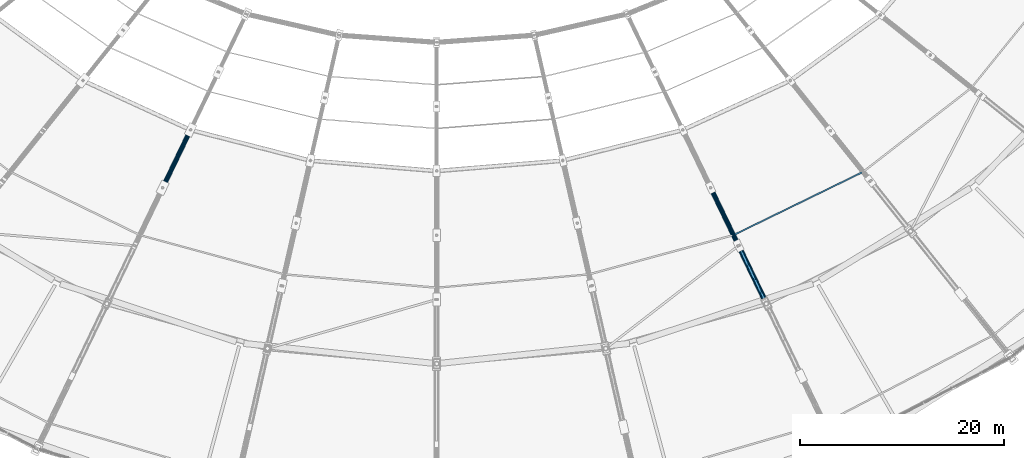
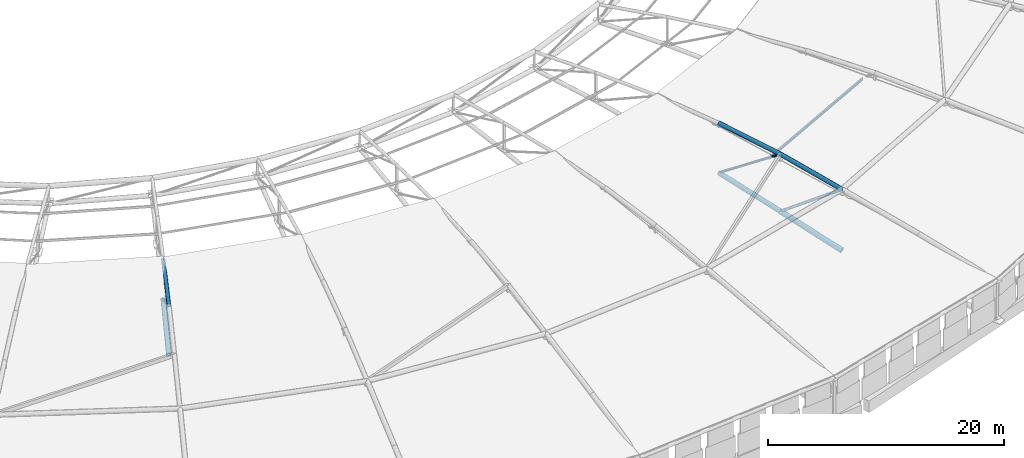
# One storey, part 19 of 108: 10 members.
"""IFC4 building model written with IfcOpenShell, lengths in metres."""

from ifc_helpers import new_model, si_unit, direction, frame, origin, origin_2d, place, context, subcontext, project, spatial, hollow_circle, i_section, extrude, material, material_profile, profile_set, type_object, element, save


model = new_model("IFC4")

# Units and contexts
model_context = context("Model", 3, precision=1e-05, world=origin(), true_north=direction((0.0, 1.0)))
body_context = subcontext(model_context, "Body", "Model", "MODEL_VIEW")
ifc_project = project(units=[si_unit("LENGTHUNIT", "METRE"), si_unit("AREAUNIT", "SQUARE_METRE"), si_unit("VOLUMEUNIT", "CUBIC_METRE"), si_unit("PLANEANGLEUNIT", "RADIAN"), si_unit("MASSUNIT", "GRAM", prefix="KILO")], contexts=[model_context])

# Site, building, storey
site_placement = place(None, origin())
site = spatial("IfcSite", under=ifc_project, at=site_placement, CompositionType="ELEMENT")
building_placement = place(site_placement, origin())
building = spatial("IfcBuilding", under=site, at=building_placement, Name="Zevraka Park Crest Stadium", CompositionType="ELEMENT")
storey_placement = place(building_placement, frame((0.0, 0.0, 29.39990234375)))
storey = spatial("IfcBuildingStorey", under=building, at=storey_placement, Name="RF", CompositionType="ELEMENT", Elevation=29.39990234375)

# Members
ifc_material_1 = material(Name="Steel S355", Category="steel")
ifc_material_profile_1 = material_profile(ifc_material_1, i_section(OverallWidth=0.135009765625, OverallDepth=0.27001953125, WebThickness=0.006591796875, FlangeThickness=0.01025390625, at=origin_2d()), Name="IPE 270")
ifc_profile_set_1 = profile_set([ifc_material_profile_1], Name="Steel S355")
member_type_1 = type_object("IfcMemberType", Name="PR04", PredefinedType="PURLIN", material=ifc_profile_set_1)
member_1_placement = place(storey_placement, frame((141.092041015625, 45.10400390625, 7.488037109375), z_axis=(0.898795149856, 0.438368884154, 0.0), x_axis=(-0.438368884154, 0.898795149856, 0.0)))
element("IfcMember", 1, at=member_1_placement, inside=storey, type_object=member_type_1, Name="Canopy Roof Purlin PR04 OUTER-24-2", PredefinedType="PURLIN", context=body_context, shape_type="SweptSolid", body=[
    extrude(i_section(OverallWidth=0.135009765625, OverallDepth=0.27001953125, WebThickness=0.006591796875, FlangeThickness=0.01025390625, at=origin_2d()), origin(), (0.0, 0.0, 1.0), 14.1455078125),
])
ifc_material_2 = material(Name="Steel S355", Category="steel")
ifc_material_profile_2 = material_profile(ifc_material_2, hollow_circle(Radius=0.25390625, WallThickness=0.030029296875, at=origin_2d()), Name="CHS 508.0x30")
ifc_profile_set_2 = profile_set([ifc_material_profile_2], Name="Steel S355")
member_type_2 = type_object("IfcMemberType", Name="TC01", PredefinedType="CHORD", material=ifc_profile_set_2)
member_2_placement = place(storey_placement, frame((144.323974609375, 38.39208984375, 0.900146484375), z_axis=(-0.42125253648, 0.874906219459, 0.238925527435), x_axis=(-0.901001108726, -0.433816783994, 0.0)))
element("IfcMember", 2, at=member_2_placement, inside=storey, type_object=member_type_2, Name="Roof Truss Bottom Chord TC01 T24-3", PredefinedType="CHORD", context=body_context, shape_type="SweptSolid", body=[
    extrude(hollow_circle(Radius=0.25390625, WallThickness=0.030029296875, at=origin_2d()), origin(), (0.0, 0.0, 1.0), 6.487548828125),
])
ifc_material_3 = material(Name="Steel S355", Category="steel")
ifc_material_profile_3 = material_profile(ifc_material_3, hollow_circle(Radius=0.228515625, WallThickness=0.02490234375, at=origin_2d()), Name="CHS 457.0x25")
ifc_profile_set_3 = profile_set([ifc_material_profile_3], Name="Steel S355")
member_type_3 = type_object("IfcMemberType", Name="TC02", PredefinedType="CHORD", material=ifc_profile_set_3)
member_3_placement = place(storey_placement, frame((85.14306640625, 49.7451171875, 3.9501953125), z_axis=(0.424202357445, 0.880994854912, 0.20952428393), x_axis=(-0.900993814881, 0.433831932372, 0.0)))
element("IfcMember", 3, at=member_3_placement, inside=storey, type_object=member_type_3, Name="Roof Truss Bottom Chord TC02 T20-5", PredefinedType="CHORD", context=body_context, shape_type="SweptSolid", body=[
    extrude(hollow_circle(Radius=0.228515625, WallThickness=0.02490234375, at=origin_2d()), origin(), (0.0, 0.0, 1.0), 6.4423828125),
])
member_4_placement = place(storey_placement, frame((141.591064453125, 44.068115234375, 2.4501953125), z_axis=(-0.422117665137, 0.876462368732, 0.231582367586), x_axis=(-0.900954548252, -0.433913472923, 0.0)))
element("IfcMember", 4, at=member_4_placement, inside=storey, type_object=member_type_3, Name="Roof Truss Bottom Chord TC02 T24-4", PredefinedType="CHORD", context=body_context, shape_type="SweptSolid", body=[
    extrude(hollow_circle(Radius=0.228515625, WallThickness=0.02490234375, at=origin_2d()), origin(), (0.0, 0.0, 1.0), 6.477294921875),
])
ifc_material_4 = material(Name="Steel S355", Category="steel")
ifc_material_profile_4 = material_profile(ifc_material_4, hollow_circle(Radius=0.203125, WallThickness=0.02001953125, at=origin_2d()), Name="CHS 406.4x20")
ifc_profile_set_4 = profile_set([ifc_material_profile_4], Name="Steel S355")
member_type_4 = type_object("IfcMemberType", Name="TC03", PredefinedType="CHORD", material=ifc_profile_set_4)
member_5_placement = place(storey_placement, frame((144.323974609375, 38.39208984375, 7.2001953125), z_axis=(-0.426765469753, 0.886356119911, 0.179566317897), x_axis=(-0.901001108726, -0.433816783994, 0.0)))
element("IfcMember", 5, at=member_5_placement, inside=storey, type_object=member_type_4, Name="Roof Truss Top Chord TC03 T24-3", PredefinedType="CHORD", context=body_context, shape_type="SweptSolid", body=[
    extrude(hollow_circle(Radius=0.203125, WallThickness=0.02001953125, at=origin_2d()), origin(), (0.0, 0.0, 1.0), 6.40380859375),
])
member_6_placement = place(storey_placement, frame((141.591064453125, 44.068115234375, 8.35009765625), z_axis=(-0.431260825212, 0.895446733517, 0.110404927751), x_axis=(-0.900954548252, -0.433913472923, 0.0)))
element("IfcMember", 6, at=member_6_placement, inside=storey, type_object=member_type_4, Name="Roof Truss Top Chord TC03 T24-4", PredefinedType="CHORD", context=body_context, shape_type="SweptSolid", body=[
    extrude(hollow_circle(Radius=0.203125, WallThickness=0.02001953125, at=origin_2d()), origin(), (0.0, 0.0, 1.0), 6.33984375),
])
ifc_material_5 = material(Name="Steel S355", Category="steel")
ifc_material_profile_5 = material_profile(ifc_material_5, hollow_circle(Radius=0.177734375, WallThickness=0.01611328125, at=origin_2d()), Name="CHS 355.6x16")
ifc_profile_set_5 = profile_set([ifc_material_profile_5], Name="Steel S355")
member_type_5 = type_object("IfcMemberType", Name="TC05", PredefinedType="CHORD", material=ifc_profile_set_5)
member_7_placement = place(storey_placement, frame((85.14306640625, 49.7451171875, 9.050048828125), z_axis=(0.433163499766, 0.899605596083, 0.055490124948), x_axis=(-0.900993814881, 0.433831932372, 0.0)))
element("IfcMember", 7, at=member_7_placement, inside=storey, type_object=member_type_5, Name="Roof Truss Top Chord TC05 T20-5", PredefinedType="CHORD", context=body_context, shape_type="SweptSolid", body=[
    extrude(hollow_circle(Radius=0.177734375, WallThickness=0.01611328125, at=origin_2d()), origin(), (0.0, 0.0, 1.0), 6.30908203125),
])
ifc_material_6 = material(Name="Steel S355", Category="steel")
ifc_material_profile_6 = material_profile(ifc_material_6, hollow_circle(Radius=0.136474609375, WallThickness=0.012451171875, at=origin_2d()), Name="CHS 273.0x12.5")
ifc_profile_set_6 = profile_set([ifc_material_profile_6], Name="Steel S355")
member_type_6 = type_object("IfcMemberType", Name="WB01", PredefinedType="BRACE", material=ifc_profile_set_6)
member_8_placement = place(storey_placement, frame((141.591064453125, 44.068115234375, 2.4501953125), z_axis=(0.346386288521, -0.719415295857, 0.602044991019), x_axis=(0.901001108726, 0.433816783994, 0.0)))
element("IfcMember", 8, at=member_8_placement, inside=storey, type_object=member_type_6, Name="Roof Truss Web Diagonal WB01 T24-3", PredefinedType="BRACE", context=body_context, shape_type="SweptSolid", body=[
    extrude(hollow_circle(Radius=0.136474609375, WallThickness=0.012451171875, at=origin_2d()), origin(), (0.0, 0.0, 1.0), 7.889892578125),
])
ifc_material_7 = material(Name="Steel S355", Category="steel")
ifc_material_profile_7 = material_profile(ifc_material_7, hollow_circle(Radius=0.122314453125, WallThickness=0.012451171875, at=origin_2d()), Name="CHS 244.5x12.5")
ifc_profile_set_7 = profile_set([ifc_material_profile_7], Name="Steel S355")
member_type_7 = type_object("IfcMemberType", Name="WB07", PredefinedType="BRACE", material=ifc_profile_set_7)
member_9_placement = place(storey_placement, frame((87.8759765625, 55.4208984375, 5.300048828125), z_axis=(-0.372780448281, -0.774200452173, 0.511515783955), x_axis=(0.900993814881, -0.433831932372, 0.0)))
element("IfcMember", 9, at=member_9_placement, inside=storey, type_object=member_type_7, Name="Roof Truss Web Diagonal WB07 T20-5", PredefinedType="BRACE", context=body_context, shape_type="SweptSolid", body=[
    extrude(hollow_circle(Radius=0.122314453125, WallThickness=0.012451171875, at=origin_2d()), origin(), (0.0, 0.0, 1.0), 7.3310546875),
])
member_10_placement = place(storey_placement, frame((138.85693359375, 49.7451171875, 3.9501953125), z_axis=(0.355763738471, -0.738688651725, 0.572513089983), x_axis=(0.900954548252, 0.433913472923, 0.0)))
element("IfcMember", 10, at=member_10_placement, inside=storey, type_object=member_type_7, Name="Roof Truss Web Diagonal WB07 T24-4", PredefinedType="BRACE", context=body_context, shape_type="SweptSolid", body=[
    extrude(hollow_circle(Radius=0.122314453125, WallThickness=0.012451171875, at=origin_2d()), origin(), (0.0, 0.0, 1.0), 7.685302734375),
])

save(model, "model.ifc")
